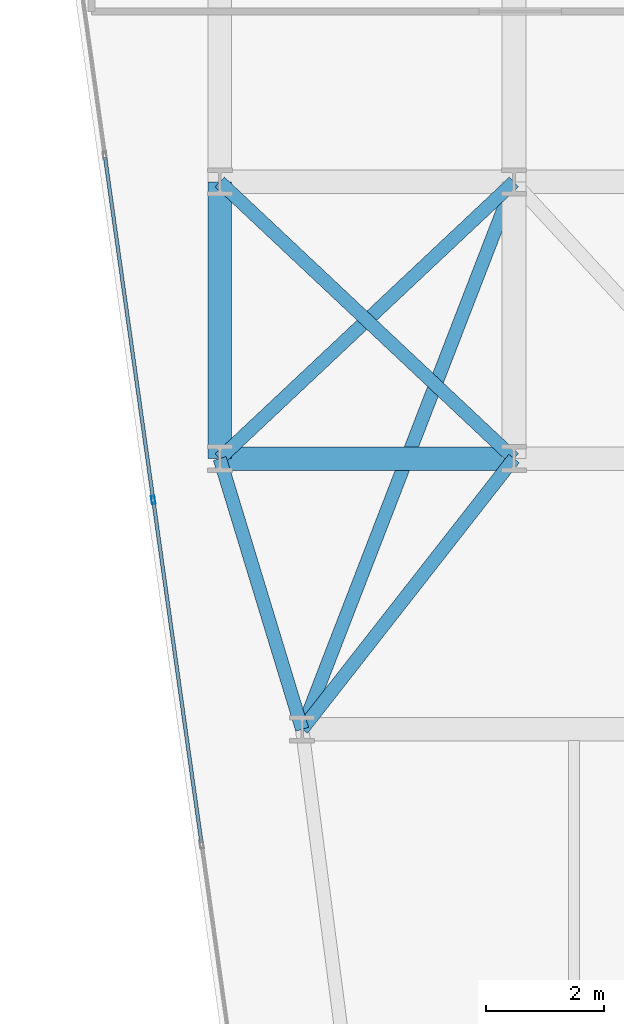
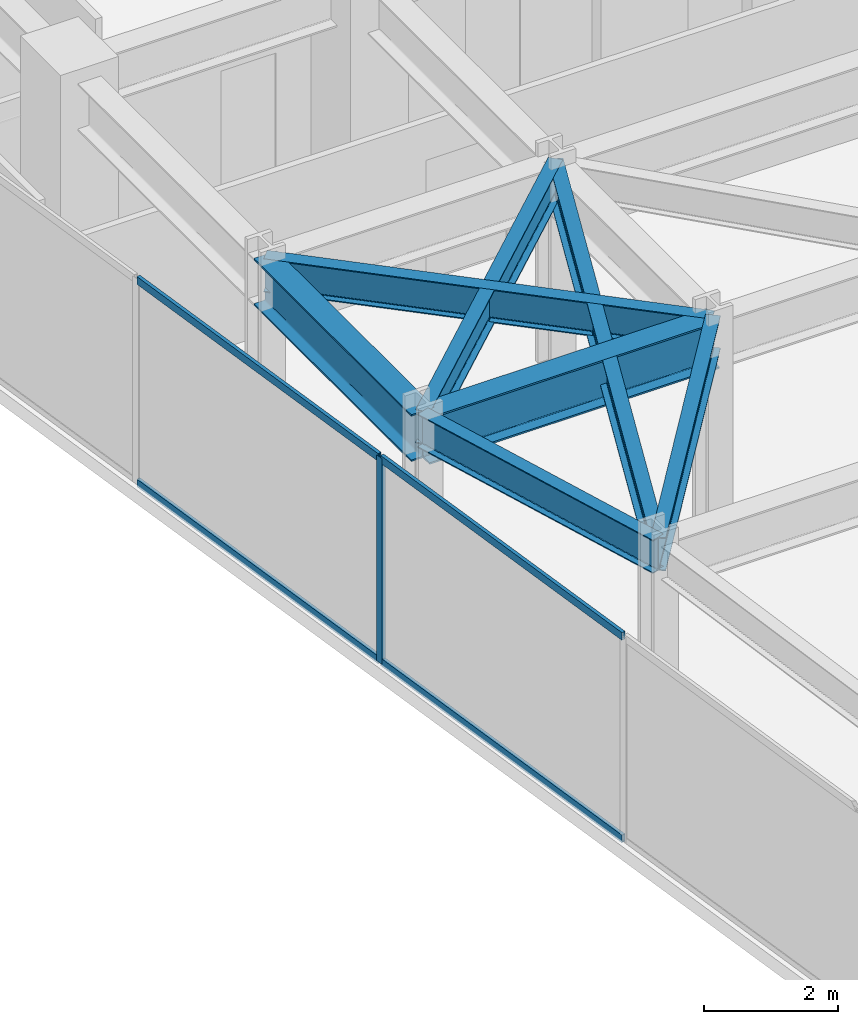
# One storey, part 9 of 26: 7 beams, 5 members, 1 element without a shape of its own.
"""IFC4 building model written with IfcOpenShell, lengths in metres."""

from ifc_helpers import new_model, si_unit, direction, frame, origin, origin_2d, place, context, subcontext, project, spatial, hollow_rectangle, i_section, extrude, material, layer, layer_set, material_profile, profile_set, type_object, element, aggregate, save


model = new_model("IFC4")

# Units and contexts
model_context = context("Model", 3, precision=1e-05, world=origin(), true_north=direction((0.0, 1.0)))
body_context = subcontext(model_context, "Body", "Model", "MODEL_VIEW")
ifc_project = project(units=[si_unit("LENGTHUNIT", "METRE"), si_unit("AREAUNIT", "SQUARE_METRE"), si_unit("VOLUMEUNIT", "CUBIC_METRE"), si_unit("PLANEANGLEUNIT", "RADIAN"), si_unit("MASSUNIT", "GRAM", prefix="KILO")], contexts=[model_context])

# Site, building, storey
site_placement = place(None, origin())
site = spatial("IfcSite", under=ifc_project, at=site_placement, CompositionType="ELEMENT")
building_placement = place(site_placement, origin())
building = spatial("IfcBuilding", under=site, at=building_placement, Name="Kravanh Interchange Tower", CompositionType="ELEMENT")
storey_placement = place(building_placement, frame((0.0, 0.0, 120.0)))
storey = spatial("IfcBuildingStorey", under=building, at=storey_placement, Name="L28", CompositionType="ELEMENT", Elevation=120.0)

# Curtain wall, members
ifc_material_1 = material(Name="Anodised Bronze Aluminium", Category="aluminium")
ifc_layer = layer(ifc_material_1, 0.179931640625)
ifc_layer_set = layer_set([ifc_layer], Name="Unitised Curtain Wall System CW-Z2 Mid Office")
curtain_wall_type = type_object("IfcCurtainWallType", Name="Unitised Curtain Wall System CW-Z2 Mid Office", PredefinedType="NOTDEFINED", material=ifc_layer_set)
curtain_wall_placement = place(storey_placement, origin())
curtain_wall = element("IfcCurtainWall", 1, at=curtain_wall_placement, inside=storey, type_object=curtain_wall_type, Name="L28 Unitised Curtain Wall CW-L28-01", PredefinedType="NOTDEFINED")
ifc_material_2 = material(Name="Anodised Bronze Aluminium", Category="aluminium")
ifc_material_profile_1 = material_profile(ifc_material_2, hollow_rectangle(XDim=0.06005859375, YDim=0.139892578125, WallThickness=0.00390625, at=origin_2d()), Name="ALU60X140X4")
ifc_profile_set_1 = profile_set([ifc_material_profile_1], Name="Anodised Bronze Aluminium")
member_type_1 = type_object("IfcMemberType", Name="Curtain Wall Mullion ALU60X140X4 Bronze", PredefinedType="MULLION", material=ifc_profile_set_1)
member_1_placement = place(storey_placement, frame((12.469970703125, 26.095458984375, 0.0), z_axis=(0.0, 0.0, 1.0), x_axis=(-0.990268103846, -0.13917285118, 0.0)))
member_1 = element("IfcMember", 2, at=member_1_placement, type_object=member_type_1, Name="CW-Z2 mullion 4", PredefinedType="MULLION", context=body_context, shape_type="SweptSolid", body=[
    extrude(hollow_rectangle(XDim=0.06005859375, YDim=0.139892578125, WallThickness=0.00390625, at=origin_2d()), origin(), (0.0, 0.0, 1.0), 3.75),
])
ifc_material_3 = material(Name="Anodised Bronze Aluminium", Category="aluminium")
ifc_material_profile_2 = material_profile(ifc_material_3, hollow_rectangle(XDim=0.06005859375, YDim=0.139892578125, WallThickness=0.00390625, at=origin_2d()), Name="ALU60X140X4")
ifc_profile_set_2 = profile_set([ifc_material_profile_2], Name="Anodised Bronze Aluminium")
member_type_2 = type_object("IfcMemberType", Name="Curtain Wall Transom ALU60X140X4 Bronze", PredefinedType="USERDEFINED", material=ifc_profile_set_2)
member_2_placement = place(storey_placement, frame((13.288330078125, 20.27294921875, 0.030029296875), z_axis=(-0.13918896503, 0.990265839062, 0.0), x_axis=(-0.990265839062, -0.13918896503, 0.0)))
member_2 = element("IfcMember", 3, at=member_2_placement, type_object=member_type_2, Name="CW-Z2 transom 3.1", ObjectType="TRANSOM", PredefinedType="USERDEFINED", context=body_context, shape_type="SweptSolid", body=[
    extrude(hollow_rectangle(XDim=0.06005859375, YDim=0.139892578125, WallThickness=0.00390625, at=origin_2d()), origin(), (0.0, 0.0, 1.0), 5.849609375),
])
member_3_placement = place(storey_placement, frame((13.288330078125, 20.27294921875, 3.719970703125), z_axis=(-0.13918896503, 0.990265839062, 0.0), x_axis=(-0.990265839062, -0.13918896503, 0.0)))
member_3 = element("IfcMember", 4, at=member_3_placement, type_object=member_type_2, Name="CW-Z2 transom 3.2", ObjectType="TRANSOM", PredefinedType="USERDEFINED", context=body_context, shape_type="SweptSolid", body=[
    extrude(hollow_rectangle(XDim=0.06005859375, YDim=0.139892578125, WallThickness=0.00390625, at=origin_2d()), origin(), (0.0, 0.0, 1.0), 5.849609375),
])
member_4_placement = place(storey_placement, frame((12.4658203125, 26.125244140625, 0.030029296875), z_axis=(-0.13918896503, 0.990265839062, 0.0), x_axis=(-0.990265839062, -0.13918896503, 0.0)))
member_4 = element("IfcMember", 5, at=member_4_placement, type_object=member_type_2, Name="CW-Z2 transom 4.1", ObjectType="TRANSOM", PredefinedType="USERDEFINED", context=body_context, shape_type="SweptSolid", body=[
    extrude(hollow_rectangle(XDim=0.06005859375, YDim=0.139892578125, WallThickness=0.00390625, at=origin_2d()), origin(), (0.0, 0.0, 1.0), 5.849609375),
])
member_5_placement = place(storey_placement, frame((12.4658203125, 26.125244140625, 3.719970703125), z_axis=(-0.13918896503, 0.990265839062, 0.0), x_axis=(-0.990265839062, -0.13918896503, 0.0)))
member_5 = element("IfcMember", 6, at=member_5_placement, type_object=member_type_2, Name="CW-Z2 transom 4.2", ObjectType="TRANSOM", PredefinedType="USERDEFINED", context=body_context, shape_type="SweptSolid", body=[
    extrude(hollow_rectangle(XDim=0.06005859375, YDim=0.139892578125, WallThickness=0.00390625, at=origin_2d()), origin(), (0.0, 0.0, 1.0), 5.849609375),
])
aggregate(curtain_wall, [member_1, member_2, member_3, member_4, member_5])

# Beams
ifc_material_4 = material(Name="Structural Steel S355", Category="steel")
ifc_material_profile_3 = material_profile(ifc_material_4, i_section(OverallWidth=0.39990234375, OverallDepth=0.85595703125, WebThickness=0.018310546875, FlangeThickness=0.029296875, FilletRadius=0.02490234375, at=origin_2d()), Name="W33X201")
ifc_profile_set_3 = profile_set([ifc_material_profile_3], Name="Structural Steel S355")
beam_type_1 = type_object("IfcBeamType", Name="Floor Beam W33X201 Structural Steel S355", PredefinedType="BEAM", material=ifc_profile_set_3)
beam_1_placement = place(storey_placement, frame((13.60009765625, 26.800048828125, 3.322021484375), z_axis=(0.0, 1.0, 0.0), x_axis=(-1.0, 0.0, 0.0)))
element("IfcBeam", 7, at=beam_1_placement, inside=storey, type_object=beam_type_1, Name="L28 Primary Floor Girder 37", PredefinedType="BEAM", context=body_context, shape_type="SweptSolid", body=[
    extrude(i_section(OverallWidth=0.39990234375, OverallDepth=0.85595703125, WebThickness=0.018310546875, FlangeThickness=0.029296875, FilletRadius=0.02490234375, at=origin_2d()), origin(), (0.0, 0.0, 1.0), 4.699951171875),
])
beam_2_placement = place(storey_placement, frame((13.60009765625, 26.800048828125, 3.322021484375), z_axis=(1.0, 0.0, 0.0), x_axis=(0.0, 1.0, 0.0)))
element("IfcBeam", 8, at=beam_2_placement, inside=storey, type_object=beam_type_1, Name="L28 Primary Floor Girder 39", PredefinedType="BEAM", context=body_context, shape_type="SweptSolid", body=[
    extrude(i_section(OverallWidth=0.39990234375, OverallDepth=0.85595703125, WebThickness=0.018310546875, FlangeThickness=0.029296875, FilletRadius=0.02490234375, at=origin_2d()), origin(), (0.0, 0.0, 1.0), 5.0),
])
ifc_material_5 = material(Name="Structural Steel S355", Category="steel")
ifc_material_profile_4 = material_profile(ifc_material_5, i_section(OverallWidth=0.22802734375, OverallDepth=0.60791015625, WebThickness=0.01123046875, FlangeThickness=0.017333984375, FilletRadius=0.02197265625, at=origin_2d()), Name="W24X76")
ifc_profile_set_4 = profile_set([ifc_material_profile_4], Name="Structural Steel S355")
beam_type_2 = type_object("IfcBeamType", Name="Floor Spandrel W24X76 Structural Steel S355", PredefinedType="SPANDREL", material=ifc_profile_set_4)
beam_3_placement = place(storey_placement, frame((13.60009765625, 26.800048828125, 3.446044921875), z_axis=(0.291137370727, -0.956681259023, 0.0), x_axis=(0.956681259023, 0.291137370727, 0.0)))
element("IfcBeam", 9, at=beam_3_placement, inside=storey, type_object=beam_type_2, Name="L28 Perimeter Spandrel 38", PredefinedType="SPANDREL", context=body_context, shape_type="SweptSolid", body=[
    extrude(i_section(OverallWidth=0.22802734375, OverallDepth=0.60791015625, WebThickness=0.01123046875, FlangeThickness=0.017333984375, FilletRadius=0.02197265625, at=origin_2d()), origin(), (0.0, 0.0, 1.0), 4.808349609375),
])
beam_4_placement = place(storey_placement, frame((13.60009765625, 26.800048828125, 3.446044921875), z_axis=(0.728631219862, 0.684906231131, 0.0), x_axis=(-0.684906231131, 0.728631219862, 0.0)))
element("IfcBeam", 10, at=beam_4_placement, inside=storey, type_object=beam_type_2, Name="L28 Perimeter Spandrel 40", PredefinedType="SPANDREL", context=body_context, shape_type="SweptSolid", body=[
    extrude(i_section(OverallWidth=0.22802734375, OverallDepth=0.60791015625, WebThickness=0.01123046875, FlangeThickness=0.017333984375, FilletRadius=0.02197265625, at=origin_2d()), origin(), (0.0, 0.0, 1.0), 6.862060546875),
])
beam_5_placement = place(storey_placement, frame((18.60009765625, 26.800048828125, 3.446044921875), z_axis=(-0.616310515553, -0.787503237085, 0.0), x_axis=(0.787503237085, -0.616310515553, 0.0)))
element("IfcBeam", 11, at=beam_5_placement, inside=storey, type_object=beam_type_2, Name="L28 Perimeter Spandrel 42", PredefinedType="SPANDREL", context=body_context, shape_type="SweptSolid", body=[
    extrude(i_section(OverallWidth=0.22802734375, OverallDepth=0.60791015625, WebThickness=0.01123046875, FlangeThickness=0.017333984375, FilletRadius=0.02197265625, at=origin_2d()), origin(), (0.0, 0.0, 1.0), 5.84130859375),
])
beam_6_placement = place(storey_placement, frame((18.60009765625, 26.800048828125, 3.446044921875), z_axis=(-0.728631219862, 0.684906231131, 0.0), x_axis=(-0.684906231131, -0.728631219862, 0.0)))
element("IfcBeam", 12, at=beam_6_placement, inside=storey, type_object=beam_type_2, Name="L28 Perimeter Spandrel 43", PredefinedType="SPANDREL", context=body_context, shape_type="SweptSolid", body=[
    extrude(i_section(OverallWidth=0.22802734375, OverallDepth=0.60791015625, WebThickness=0.01123046875, FlangeThickness=0.017333984375, FilletRadius=0.02197265625, at=origin_2d()), origin(), (0.0, 0.0, 1.0), 6.862060546875),
])
beam_7_placement = place(storey_placement, frame((18.60009765625, 31.5, 3.446044921875), z_axis=(-0.3610009706, -0.932565439648, 0.0), x_axis=(0.932565439648, -0.3610009706, 0.0)))
element("IfcBeam", 13, at=beam_7_placement, inside=storey, type_object=beam_type_2, Name="L28 Perimeter Spandrel 72", PredefinedType="SPANDREL", context=body_context, shape_type="SweptSolid", body=[
    extrude(i_section(OverallWidth=0.22802734375, OverallDepth=0.60791015625, WebThickness=0.01123046875, FlangeThickness=0.017333984375, FilletRadius=0.02197265625, at=origin_2d()), origin(), (0.0, 0.0, 1.0), 9.97265625),
])

save(model, "model.ifc")
